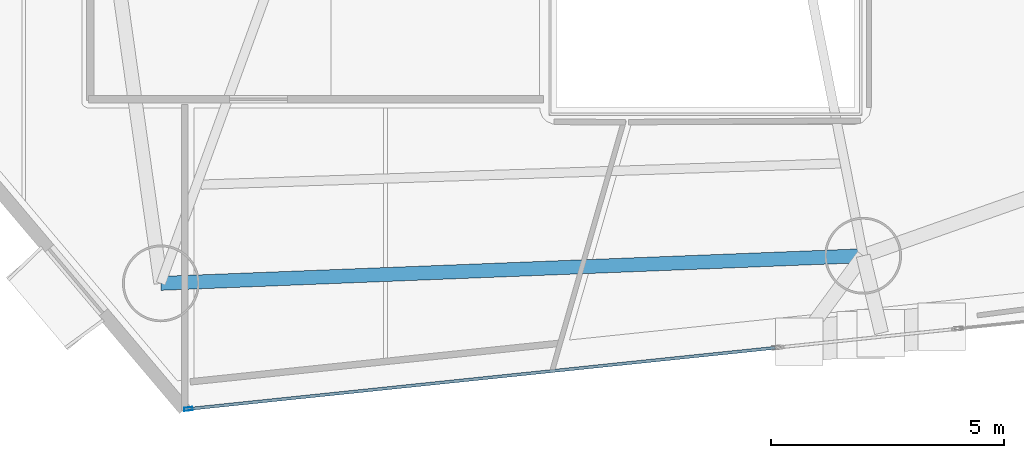
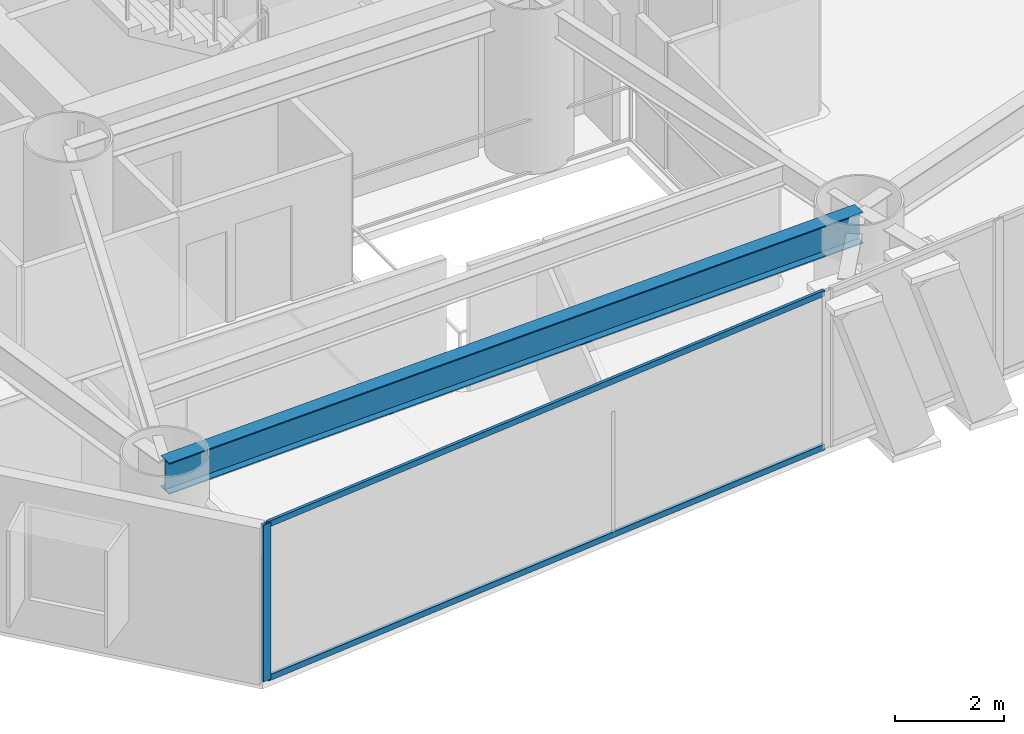
# One storey, part 2 of 23: 3 members, 1 beam, 1 element without a shape of its own.
"""IFC4 building model written with IfcOpenShell, lengths in metres."""

from ifc_helpers import new_model, si_unit, direction, frame, origin, origin_2d, place, context, subcontext, project, spatial, hollow_rectangle, i_section, extrude, material, layer, layer_set, material_profile, profile_set, type_object, element, aggregate, save


model = new_model("IFC4")

# Units and contexts
model_context = context("Model", 3, precision=1e-05, world=origin(), true_north=direction((0.0, 1.0)))
body_context = subcontext(model_context, "Body", "Model", "MODEL_VIEW")
ifc_project = project(units=[si_unit("LENGTHUNIT", "METRE"), si_unit("AREAUNIT", "SQUARE_METRE"), si_unit("VOLUMEUNIT", "CUBIC_METRE"), si_unit("PLANEANGLEUNIT", "RADIAN"), si_unit("MASSUNIT", "GRAM", prefix="KILO")], contexts=[model_context])

# Site, building, storey
site_placement = place(None, origin())
site = spatial("IfcSite", under=ifc_project, at=site_placement, CompositionType="ELEMENT")
building_placement = place(site_placement, origin())
building = spatial("IfcBuilding", under=site, at=building_placement, Name="Qianvela Tower", CompositionType="ELEMENT")
storey_placement = place(building_placement, frame((0.0, 0.0, 67.300048828125)))
storey = spatial("IfcBuildingStorey", under=building, at=storey_placement, Name="L16", CompositionType="ELEMENT", Elevation=67.300048828125)

# Beam
ifc_material_1 = material(Name="Steel Q355B", Category="steel")
ifc_material_profile_1 = material_profile(ifc_material_1, i_section(OverallWidth=0.300048828125, OverallDepth=0.699951171875, WebThickness=0.012939453125, FlangeThickness=0.02392578125, at=origin_2d()), Name="HN700x300x13x24")
ifc_profile_set_1 = profile_set([ifc_material_profile_1], Name="Steel Q355B")
beam_type = type_object("IfcBeamType", Name="BM-HN700-SPAND", PredefinedType="SPANDREL", material=ifc_profile_set_1)
beam_placement = place(storey_placement, frame((25.10009765625, 14.22509765625, 3.16796875), z_axis=(0.999226043345, 0.039335916178, 0.0), x_axis=(-0.039335916178, 0.999226043345, 0.0)))
element("IfcBeam", 1, at=beam_placement, inside=storey, type_object=beam_type, Name="L16 Perimeter Ring Spandrel Girder 5", PredefinedType="SPANDREL", context=body_context, shape_type="SweptSolid", body=[
    extrude(i_section(OverallWidth=0.300048828125, OverallDepth=0.699951171875, WebThickness=0.012939453125, FlangeThickness=0.02392578125, at=origin_2d()), origin(), (0.0, 0.0, 1.0), 15.1005859375),
])

# Curtain wall, members
ifc_material_2 = material(Name="Anodised Architectural Aluminium and Low-E Glass", Category="aluminium")
ifc_layer = layer(ifc_material_2, 0.179931640625)
ifc_layer_set = layer_set([ifc_layer], Name="Anodised Architectural Aluminium and Low-E Glass")
curtain_wall_type = type_object("IfcCurtainWallType", Name="CW-COLIV-Z12", PredefinedType="USERDEFINED", material=ifc_layer_set)
curtain_wall_placement = place(storey_placement, origin())
curtain_wall = element("IfcCurtainWall", 2, at=curtain_wall_placement, inside=storey, type_object=curtain_wall_type, Name="L16 CW-COLIV-Z12 Curtain Wall 06A", ObjectType="CURTAIN_WALL_SYSTEM", PredefinedType="USERDEFINED")
ifc_material_3 = material(Name="Anodised Architectural Aluminium 6063-T6", Category="aluminium")
ifc_material_profile_2 = material_profile(ifc_material_3, hollow_rectangle(XDim=0.070068359375, YDim=0.179931640625, WallThickness=0.0048828125, at=origin_2d()), Name="ALU-MULL-70x180")
ifc_profile_set_2 = profile_set([ifc_material_profile_2], Name="Anodised Architectural Aluminium 6063-T6")
member_type_1 = type_object("IfcMemberType", Name="CW-COLIV-Z12-MULL", PredefinedType="MULLION", material=ifc_profile_set_2)
member_1_placement = place(storey_placement, frame((25.692138671875, 11.526611328125, 0.0), z_axis=(0.0, 0.0, 1.0), x_axis=(-0.103716550137, 0.994606895827, 0.0)))
member_1 = element("IfcMember", 3, at=member_1_placement, type_object=member_type_1, Name="CW-3 mullion 1", PredefinedType="MULLION", context=body_context, shape_type="SweptSolid", body=[
    extrude(hollow_rectangle(XDim=0.070068359375, YDim=0.179931640625, WallThickness=0.0048828125, at=origin_2d()), origin(), (0.0, 0.0, 1.0), 3.52001953125),
])
ifc_material_4 = material(Name="Anodised Architectural Aluminium 6063-T6", Category="aluminium")
ifc_material_profile_3 = material_profile(ifc_material_4, hollow_rectangle(XDim=0.06494140625, YDim=0.1298828125, WallThickness=0.00439453125, at=origin_2d()), Name="ALU-TRAN-65x130")
ifc_profile_set_3 = profile_set([ifc_material_profile_3], Name="Anodised Architectural Aluminium 6063-T6")
member_type_2 = type_object("IfcMemberType", Name="CW-COLIV-Z12-TRAN", PredefinedType="USERDEFINED", material=ifc_profile_set_3)
member_2_placement = place(storey_placement, frame((25.72705078125, 11.5302734375, 0.032470703125), z_axis=(0.994608369364, 0.103702418439, 0.0), x_axis=(-0.103702418439, 0.994608369364, 0.0)))
member_2 = element("IfcMember", 4, at=member_2_placement, type_object=member_type_2, Name="CW-3 transom 1.1", ObjectType="TRANSOM", PredefinedType="USERDEFINED", context=body_context, shape_type="SweptSolid", body=[
    extrude(hollow_rectangle(XDim=0.06494140625, YDim=0.1298828125, WallThickness=0.00439453125, at=origin_2d()), origin(), (0.0, 0.0, 1.0), 12.639892578125),
])
member_3_placement = place(storey_placement, frame((25.72705078125, 11.5302734375, 3.487548828125), z_axis=(0.994608369364, 0.103702418439, 0.0), x_axis=(-0.103702418439, 0.994608369364, 0.0)))
member_3 = element("IfcMember", 5, at=member_3_placement, type_object=member_type_2, Name="CW-3 transom 1.2", ObjectType="TRANSOM", PredefinedType="USERDEFINED", context=body_context, shape_type="SweptSolid", body=[
    extrude(hollow_rectangle(XDim=0.06494140625, YDim=0.1298828125, WallThickness=0.00439453125, at=origin_2d()), origin(), (0.0, 0.0, 1.0), 12.639892578125),
])
aggregate(curtain_wall, [member_1, member_2, member_3])

save(model, "model.ifc")
